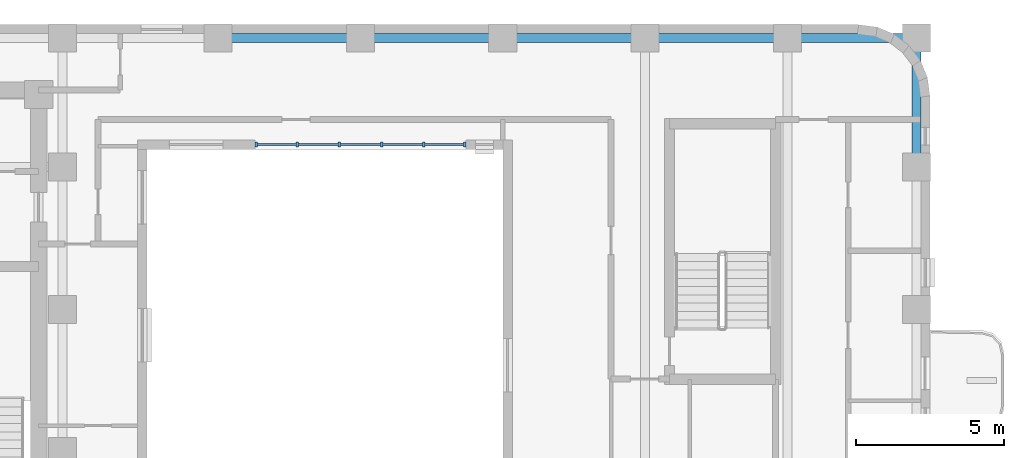
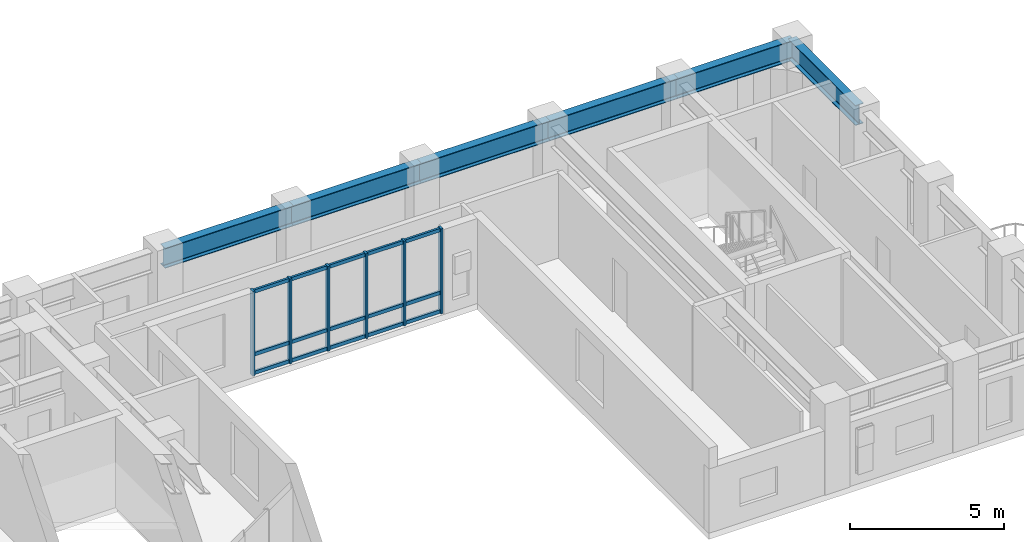
# One storey, part 2 of 11: 21 members, 6 beams, 1 element without a shape of its own.
"""IFC4 building model written with IfcOpenShell, lengths in metres."""

from ifc_helpers import new_model, si_unit, direction, frame, origin, origin_2d, place, context, subcontext, project, spatial, rectangle, i_section, extrude, material, material_profile, profile_set, type_object, element, aggregate, save


model = new_model("IFC4")

# Units and contexts
model_context = context("Model", 3, precision=1e-05, world=origin(), true_north=direction((0.0, 1.0)))
body_context = subcontext(model_context, "Body", "Model", "MODEL_VIEW")
ifc_project = project(units=[si_unit("LENGTHUNIT", "METRE"), si_unit("AREAUNIT", "SQUARE_METRE"), si_unit("VOLUMEUNIT", "CUBIC_METRE"), si_unit("PLANEANGLEUNIT", "RADIAN"), si_unit("MASSUNIT", "GRAM", prefix="KILO")], contexts=[model_context])

# Site, building, storey
site_placement = place(None, origin())
site = spatial("IfcSite", under=ifc_project, at=site_placement, CompositionType="ELEMENT")
building_placement = place(site_placement, origin())
building = spatial("IfcBuilding", under=site, at=building_placement, Name="Orvandelia Arch Residences", CompositionType="ELEMENT")
storey_placement = place(building_placement, frame((0.0, 0.0, 168.39990234375)))
storey = spatial("IfcBuildingStorey", under=building, at=storey_placement, Name="L44", CompositionType="ELEMENT", Elevation=168.39990234375)

# Beams
ifc_material_1 = material(Name="Structural Steel SM355 (355 MPa)", Category="steel")
ifc_material_profile_1 = material_profile(ifc_material_1, i_section(OverallWidth=0.300048828125, OverallDepth=0.800048828125, WebThickness=0.013916015625, FlangeThickness=0.02587890625, FilletRadius=0.02587890625, at=origin_2d()), Name="Structural Steel SM355 (355 MPa)", Category="steel")
ifc_profile_set_1 = profile_set([ifc_material_profile_1], Name="Structural Steel SM355 (355 MPa)")
beam_type = type_object("IfcBeamType", Name="BM-GRD-H800", PredefinedType="BEAM", material=ifc_profile_set_1)
beam_1_placement = place(storey_placement, frame((52.35009765625, 43.199951171875, 2.960205078125), z_axis=(0.0, 1.0, 0.0), x_axis=(-1.0, 0.0, 0.0)))
element("IfcBeam", 1, at=beam_1_placement, inside=storey, type_object=beam_type, Name="Structural Frame Beam L44-NS-021", PredefinedType="BEAM", context=body_context, shape_type="SweptSolid", body=[
    extrude(i_section(OverallWidth=0.300048828125, OverallDepth=0.800048828125, WebThickness=0.013916015625, FlangeThickness=0.02587890625, FilletRadius=0.02587890625, at=origin_2d()), origin(), (0.0, 0.0, 1.0), 4.35009765625),
])
beam_2_placement = place(storey_placement, frame((28.800048828125, 47.550048828125, 2.960205078125), z_axis=(1.0, 0.0, 0.0), x_axis=(0.0, 1.0, 0.0)))
element("IfcBeam", 2, at=beam_2_placement, inside=storey, type_object=beam_type, Name="Structural Frame Girder L44-EW-039", PredefinedType="BEAM", context=body_context, shape_type="SweptSolid", body=[
    extrude(i_section(OverallWidth=0.300048828125, OverallDepth=0.800048828125, WebThickness=0.013916015625, FlangeThickness=0.02587890625, FilletRadius=0.02587890625, at=origin_2d()), origin(), (0.0, 0.0, 1.0), 4.800048828125),
])
beam_3_placement = place(storey_placement, frame((33.60009765625, 47.550048828125, 2.960205078125), z_axis=(1.0, 0.0, 0.0), x_axis=(0.0, 1.0, 0.0)))
element("IfcBeam", 3, at=beam_3_placement, inside=storey, type_object=beam_type, Name="Structural Frame Girder L44-EW-040", PredefinedType="BEAM", context=body_context, shape_type="SweptSolid", body=[
    extrude(i_section(OverallWidth=0.300048828125, OverallDepth=0.800048828125, WebThickness=0.013916015625, FlangeThickness=0.02587890625, FilletRadius=0.02587890625, at=origin_2d()), origin(), (0.0, 0.0, 1.0), 4.7998046875),
])
for number, where, z_axis, x_axis, name in (
    (4, (38.39990234375, 47.550048828125, 2.960205078125), (1.0, 0.0, 0.0), (0.0, 1.0, 0.0), "Structural Frame Girder L44-EW-041"),
    (5, (43.199951171875, 47.550048828125, 2.960205078125), (1.0, 0.0, 0.0), (0.0, 1.0, 0.0), "Structural Frame Girder L44-EW-042"),
):
    element("IfcBeam", number, at=place(storey_placement, frame(where, z_axis=z_axis, x_axis=x_axis)), inside=storey, type_object=beam_type, Name=name, PredefinedType="BEAM", context=body_context, shape_type="SweptSolid", body=[
        extrude(i_section(OverallWidth=0.300048828125, OverallDepth=0.800048828125, WebThickness=0.013916015625, FlangeThickness=0.02587890625, FilletRadius=0.02587890625, at=origin_2d()), origin(), (0.0, 0.0, 1.0), 4.800048828125),
    ])
beam_4_placement = place(storey_placement, frame((48.0, 47.550048828125, 2.960205078125), z_axis=(1.0, 0.0, 0.0), x_axis=(0.0, 1.0, 0.0)))
element("IfcBeam", 6, at=beam_4_placement, inside=storey, type_object=beam_type, Name="Structural Frame Girder L44-EW-043", PredefinedType="BEAM", context=body_context, shape_type="SweptSolid", body=[
    extrude(i_section(OverallWidth=0.300048828125, OverallDepth=0.800048828125, WebThickness=0.013916015625, FlangeThickness=0.02587890625, FilletRadius=0.02587890625, at=origin_2d()), origin(), (0.0, 0.0, 1.0), 4.35009765625),
])

# Curtain wall, members
ifc_material_2 = material(Name="Anodised Bronze Curtain Wall Assembly")
curtain_wall_type = type_object("IfcCurtainWallType", Name="CW-SYS4-PORTAL", PredefinedType="NOTDEFINED", material=ifc_material_2)
curtain_wall_placement = place(storey_placement, origin())
curtain_wall = element("IfcCurtainWall", 7, at=curtain_wall_placement, inside=storey, type_object=curtain_wall_type, Name="Void-Portal Bridge Curtain Wall L44 1", PredefinedType="NOTDEFINED")
ifc_material_3 = material(Name="Anodised Aluminium Alloy 6063-T6", Category="aluminium")
ifc_material_profile_2 = material_profile(ifc_material_3, rectangle(XDim=0.080078125, YDim=0.179931640625, at=origin_2d()), Name="Anodised Aluminium Alloy 6063-T6", Category="aluminium")
ifc_profile_set_2 = profile_set([ifc_material_profile_2], Name="Anodised Aluminium Alloy 6063-T6")
member_type_1 = type_object("IfcMemberType", Name="CW-MULLION-80x160", PredefinedType="MULLION", material=ifc_profile_set_2)
member_1_placement = place(storey_placement, frame((30.080078125, 43.9599609375, 0.0), z_axis=(0.0, 0.0, 1.0), x_axis=(1.0, 0.0, 0.0)))
member_1 = element("IfcMember", 8, at=member_1_placement, type_object=member_type_1, Name="Curtain Wall Mullion CW-L44-1-M1", PredefinedType="MULLION", context=body_context, shape_type="SweptSolid", body=[
    extrude(rectangle(XDim=0.080078125, YDim=0.179931640625, at=origin_2d()), origin(), (0.0, 0.0, 1.0), 3.360107421875),
])
member_2_placement = place(storey_placement, frame((31.464111328125, 43.9599609375, 0.0), z_axis=(0.0, 0.0, 1.0), x_axis=(1.0, 0.0, 0.0)))
member_2 = element("IfcMember", 9, at=member_2_placement, type_object=member_type_1, Name="Curtain Wall Mullion CW-L44-1-M2", PredefinedType="MULLION", context=body_context, shape_type="SweptSolid", body=[
    extrude(rectangle(XDim=0.080078125, YDim=0.179931640625, at=origin_2d()), origin(), (0.0, 0.0, 1.0), 3.360107421875),
])
member_3_placement = place(storey_placement, frame((32.887939453125, 43.9599609375, 0.0), z_axis=(0.0, 0.0, 1.0), x_axis=(1.0, 0.0, 0.0)))
member_3 = element("IfcMember", 10, at=member_3_placement, type_object=member_type_1, Name="Curtain Wall Mullion CW-L44-1-M3", PredefinedType="MULLION", context=body_context, shape_type="SweptSolid", body=[
    extrude(rectangle(XDim=0.080078125, YDim=0.179931640625, at=origin_2d()), origin(), (0.0, 0.0, 1.0), 3.360107421875),
])
member_4_placement = place(storey_placement, frame((34.31201171875, 43.9599609375, 0.0), z_axis=(0.0, 0.0, 1.0), x_axis=(1.0, 0.0, 0.0)))
member_4 = element("IfcMember", 11, at=member_4_placement, type_object=member_type_1, Name="Curtain Wall Mullion CW-L44-1-M4", PredefinedType="MULLION", context=body_context, shape_type="SweptSolid", body=[
    extrude(rectangle(XDim=0.080078125, YDim=0.179931640625, at=origin_2d()), origin(), (0.0, 0.0, 1.0), 3.360107421875),
])
member_5_placement = place(storey_placement, frame((35.736083984375, 43.9599609375, 0.0), z_axis=(0.0, 0.0, 1.0), x_axis=(1.0, 0.0, 0.0)))
member_5 = element("IfcMember", 12, at=member_5_placement, type_object=member_type_1, Name="Curtain Wall Mullion CW-L44-1-M5", PredefinedType="MULLION", context=body_context, shape_type="SweptSolid", body=[
    extrude(rectangle(XDim=0.080078125, YDim=0.179931640625, at=origin_2d()), origin(), (0.0, 0.0, 1.0), 3.360107421875),
])
member_6_placement = place(storey_placement, frame((37.1201171875, 43.9599609375, 0.0), z_axis=(0.0, 0.0, 1.0), x_axis=(1.0, 0.0, 0.0)))
member_6 = element("IfcMember", 13, at=member_6_placement, type_object=member_type_1, Name="Curtain Wall Mullion CW-L44-1-M6", PredefinedType="MULLION", context=body_context, shape_type="SweptSolid", body=[
    extrude(rectangle(XDim=0.080078125, YDim=0.179931640625, at=origin_2d()), origin(), (0.0, 0.0, 1.0), 3.360107421875),
])
ifc_material_profile_3 = material_profile(ifc_material_3, rectangle(XDim=0.080078125, YDim=0.139892578125, at=origin_2d()), Name="Anodised Aluminium Alloy 6063-T6", Category="aluminium")
ifc_profile_set_3 = profile_set([ifc_material_profile_3], Name="Anodised Aluminium Alloy 6063-T6")
member_type_2 = type_object("IfcMemberType", Name="CW-TRANSOM-80x140", PredefinedType="USERDEFINED", material=ifc_profile_set_3)
member_7_placement = place(storey_placement, frame((30.10498046875, 43.9599609375, 0.070068359375), z_axis=(1.0, 0.0, 0.0), x_axis=(0.0, 1.0, 0.0)))
member_7 = element("IfcMember", 14, at=member_7_placement, type_object=member_type_2, Name="Curtain Wall Transom CW-L44-1-T1-1", ObjectType="TRANSOM", PredefinedType="USERDEFINED", context=body_context, shape_type="SweptSolid", body=[
    extrude(rectangle(XDim=0.080078125, YDim=0.139892578125, at=origin_2d()), origin(), (0.0, 0.0, 1.0), 1.333984375),
])
member_8_placement = place(storey_placement, frame((30.10498046875, 43.9599609375, 0.806396484375), z_axis=(1.0, 0.0, 0.0), x_axis=(0.0, 1.0, 0.0)))
member_8 = element("IfcMember", 15, at=member_8_placement, type_object=member_type_2, Name="Curtain Wall Transom CW-L44-1-T1-2", ObjectType="TRANSOM", PredefinedType="USERDEFINED", context=body_context, shape_type="SweptSolid", body=[
    extrude(rectangle(XDim=0.080078125, YDim=0.139892578125, at=origin_2d()), origin(), (0.0, 0.0, 1.0), 1.333984375),
])
member_9_placement = place(storey_placement, frame((30.10498046875, 43.9599609375, 3.2900390625), z_axis=(1.0, 0.0, 0.0), x_axis=(0.0, 1.0, 0.0)))
member_9 = element("IfcMember", 16, at=member_9_placement, type_object=member_type_2, Name="Curtain Wall Transom CW-L44-1-T1-3", ObjectType="TRANSOM", PredefinedType="USERDEFINED", context=body_context, shape_type="SweptSolid", body=[
    extrude(rectangle(XDim=0.080078125, YDim=0.139892578125, at=origin_2d()), origin(), (0.0, 0.0, 1.0), 1.333984375),
])
member_10_placement = place(storey_placement, frame((31.489013671875, 43.9599609375, 0.070068359375), z_axis=(1.0, 0.0, 0.0), x_axis=(0.0, 1.0, 0.0)))
member_10 = element("IfcMember", 17, at=member_10_placement, type_object=member_type_2, Name="Curtain Wall Transom CW-L44-1-T2-1", ObjectType="TRANSOM", PredefinedType="USERDEFINED", context=body_context, shape_type="SweptSolid", body=[
    extrude(rectangle(XDim=0.080078125, YDim=0.139892578125, at=origin_2d()), origin(), (0.0, 0.0, 1.0), 1.3740234375),
])
member_11_placement = place(storey_placement, frame((31.489013671875, 43.9599609375, 0.806396484375), z_axis=(1.0, 0.0, 0.0), x_axis=(0.0, 1.0, 0.0)))
member_11 = element("IfcMember", 18, at=member_11_placement, type_object=member_type_2, Name="Curtain Wall Transom CW-L44-1-T2-2", ObjectType="TRANSOM", PredefinedType="USERDEFINED", context=body_context, shape_type="SweptSolid", body=[
    extrude(rectangle(XDim=0.080078125, YDim=0.139892578125, at=origin_2d()), origin(), (0.0, 0.0, 1.0), 1.3740234375),
])
member_12_placement = place(storey_placement, frame((31.489013671875, 43.9599609375, 3.2900390625), z_axis=(1.0, 0.0, 0.0), x_axis=(0.0, 1.0, 0.0)))
member_12 = element("IfcMember", 19, at=member_12_placement, type_object=member_type_2, Name="Curtain Wall Transom CW-L44-1-T2-3", ObjectType="TRANSOM", PredefinedType="USERDEFINED", context=body_context, shape_type="SweptSolid", body=[
    extrude(rectangle(XDim=0.080078125, YDim=0.139892578125, at=origin_2d()), origin(), (0.0, 0.0, 1.0), 1.3740234375),
])
member_13_placement = place(storey_placement, frame((32.9130859375, 43.9599609375, 0.070068359375), z_axis=(1.0, 0.0, 0.0), x_axis=(0.0, 1.0, 0.0)))
member_13 = element("IfcMember", 20, at=member_13_placement, type_object=member_type_2, Name="Curtain Wall Transom CW-L44-1-T3-1", ObjectType="TRANSOM", PredefinedType="USERDEFINED", context=body_context, shape_type="SweptSolid", body=[
    extrude(rectangle(XDim=0.080078125, YDim=0.139892578125, at=origin_2d()), origin(), (0.0, 0.0, 1.0), 1.3740234375),
])
member_14_placement = place(storey_placement, frame((32.9130859375, 43.9599609375, 0.806396484375), z_axis=(1.0, 0.0, 0.0), x_axis=(0.0, 1.0, 0.0)))
member_14 = element("IfcMember", 21, at=member_14_placement, type_object=member_type_2, Name="Curtain Wall Transom CW-L44-1-T3-2", ObjectType="TRANSOM", PredefinedType="USERDEFINED", context=body_context, shape_type="SweptSolid", body=[
    extrude(rectangle(XDim=0.080078125, YDim=0.139892578125, at=origin_2d()), origin(), (0.0, 0.0, 1.0), 1.3740234375),
])
member_15_placement = place(storey_placement, frame((32.9130859375, 43.9599609375, 3.2900390625), z_axis=(1.0, 0.0, 0.0), x_axis=(0.0, 1.0, 0.0)))
member_15 = element("IfcMember", 22, at=member_15_placement, type_object=member_type_2, Name="Curtain Wall Transom CW-L44-1-T3-3", ObjectType="TRANSOM", PredefinedType="USERDEFINED", context=body_context, shape_type="SweptSolid", body=[
    extrude(rectangle(XDim=0.080078125, YDim=0.139892578125, at=origin_2d()), origin(), (0.0, 0.0, 1.0), 1.3740234375),
])
member_16_placement = place(storey_placement, frame((34.3369140625, 43.9599609375, 0.070068359375), z_axis=(1.0, 0.0, 0.0), x_axis=(0.0, 1.0, 0.0)))
member_16 = element("IfcMember", 23, at=member_16_placement, type_object=member_type_2, Name="Curtain Wall Transom CW-L44-1-T4-1", ObjectType="TRANSOM", PredefinedType="USERDEFINED", context=body_context, shape_type="SweptSolid", body=[
    extrude(rectangle(XDim=0.080078125, YDim=0.139892578125, at=origin_2d()), origin(), (0.0, 0.0, 1.0), 1.3740234375),
])
member_17_placement = place(storey_placement, frame((34.3369140625, 43.9599609375, 0.806396484375), z_axis=(1.0, 0.0, 0.0), x_axis=(0.0, 1.0, 0.0)))
member_17 = element("IfcMember", 24, at=member_17_placement, type_object=member_type_2, Name="Curtain Wall Transom CW-L44-1-T4-2", ObjectType="TRANSOM", PredefinedType="USERDEFINED", context=body_context, shape_type="SweptSolid", body=[
    extrude(rectangle(XDim=0.080078125, YDim=0.139892578125, at=origin_2d()), origin(), (0.0, 0.0, 1.0), 1.3740234375),
])
member_18_placement = place(storey_placement, frame((34.3369140625, 43.9599609375, 3.2900390625), z_axis=(1.0, 0.0, 0.0), x_axis=(0.0, 1.0, 0.0)))
member_18 = element("IfcMember", 25, at=member_18_placement, type_object=member_type_2, Name="Curtain Wall Transom CW-L44-1-T4-3", ObjectType="TRANSOM", PredefinedType="USERDEFINED", context=body_context, shape_type="SweptSolid", body=[
    extrude(rectangle(XDim=0.080078125, YDim=0.139892578125, at=origin_2d()), origin(), (0.0, 0.0, 1.0), 1.3740234375),
])
member_19_placement = place(storey_placement, frame((35.760986328125, 43.9599609375, 0.070068359375), z_axis=(1.0, 0.0, 0.0), x_axis=(0.0, 1.0, 0.0)))
member_19 = element("IfcMember", 26, at=member_19_placement, type_object=member_type_2, Name="Curtain Wall Transom CW-L44-1-T5-1", ObjectType="TRANSOM", PredefinedType="USERDEFINED", context=body_context, shape_type="SweptSolid", body=[
    extrude(rectangle(XDim=0.080078125, YDim=0.139892578125, at=origin_2d()), origin(), (0.0, 0.0, 1.0), 1.333984375),
])
member_20_placement = place(storey_placement, frame((35.760986328125, 43.9599609375, 0.806396484375), z_axis=(1.0, 0.0, 0.0), x_axis=(0.0, 1.0, 0.0)))
member_20 = element("IfcMember", 27, at=member_20_placement, type_object=member_type_2, Name="Curtain Wall Transom CW-L44-1-T5-2", ObjectType="TRANSOM", PredefinedType="USERDEFINED", context=body_context, shape_type="SweptSolid", body=[
    extrude(rectangle(XDim=0.080078125, YDim=0.139892578125, at=origin_2d()), origin(), (0.0, 0.0, 1.0), 1.333984375),
])
member_21_placement = place(storey_placement, frame((35.760986328125, 43.9599609375, 3.2900390625), z_axis=(1.0, 0.0, 0.0), x_axis=(0.0, 1.0, 0.0)))
member_21 = element("IfcMember", 28, at=member_21_placement, type_object=member_type_2, Name="Curtain Wall Transom CW-L44-1-T5-3", ObjectType="TRANSOM", PredefinedType="USERDEFINED", context=body_context, shape_type="SweptSolid", body=[
    extrude(rectangle(XDim=0.080078125, YDim=0.139892578125, at=origin_2d()), origin(), (0.0, 0.0, 1.0), 1.333984375),
])
aggregate(curtain_wall, [member_1, member_2, member_3, member_4, member_5, member_6, member_7, member_8, member_9, member_10, member_11, member_12, member_13, member_14, member_15, member_16, member_17, member_18, member_19, member_20, member_21])

save(model, "model.ifc")
